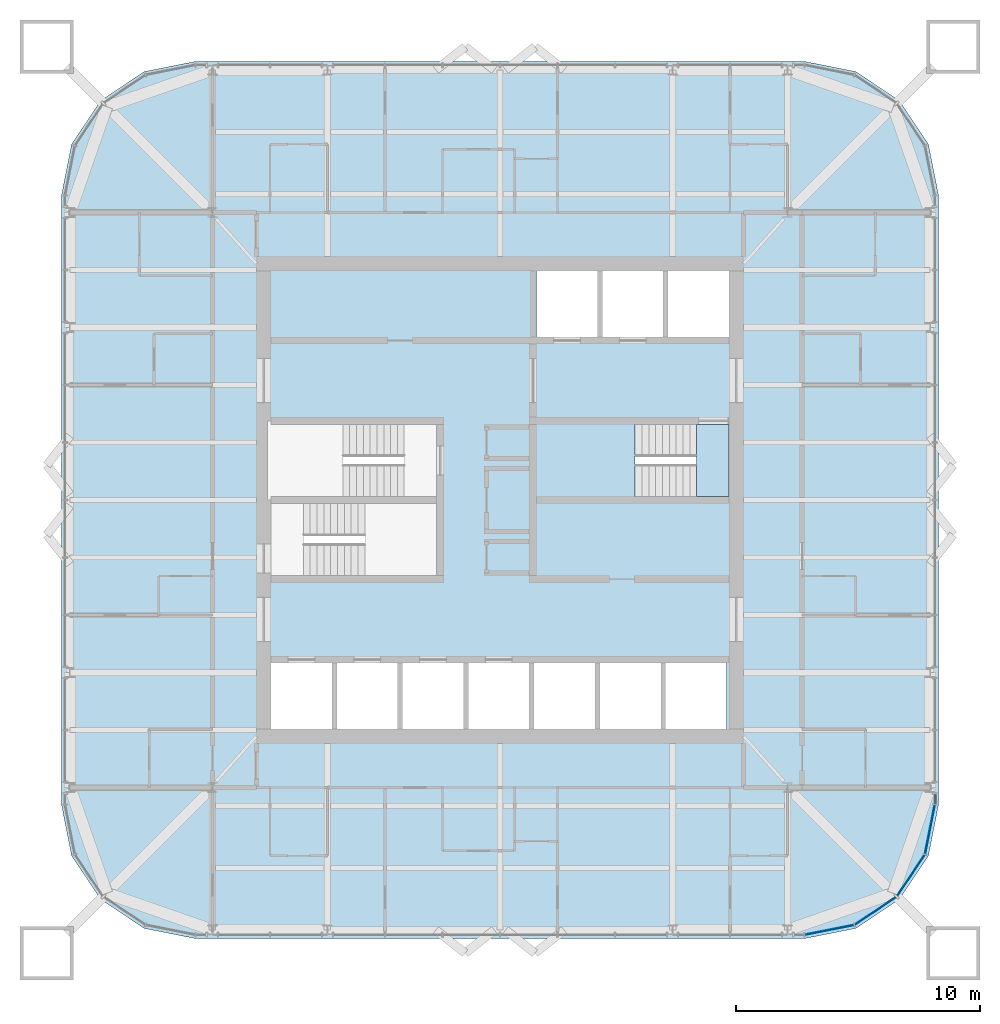
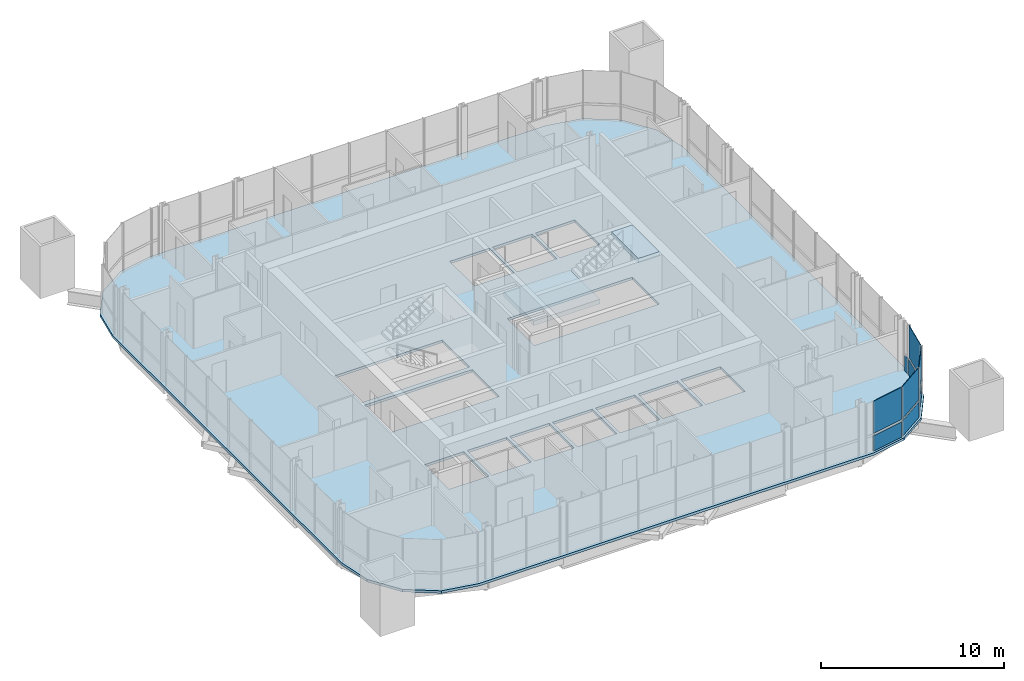
# One storey, part 10 of 17: 9 plates, 3 slabs, 3 elements without a shape of their own.
"""IFC4 building model written with IfcOpenShell, lengths in metres."""

import ifcopenshell
import ifcopenshell.guid

model = None  # the IFC model being written
_history = None  # IfcOwnerHistory: only IFC2X3 demands one
_inside = {}  # id of a spatial element -> (the spatial element, [elements in it])
_under = {}  # id of a project, library or spatial element -> (it, [spatial elements below it])
_declared = {}  # id of a project -> (the project, [libraries it declares])
_typed = {}  # id of a type object -> (the type object, [elements of that type])
_made_of = {}  # id of a material, layer set ... -> (it, [elements and type objects made of it])


def new_model(schema):
    """Start an empty IFC model of exactly this schema.

    Asked for "IFC4X3", IfcOpenShell would pick the latest addendum, in which some entities
    have other attributes; the version numbers below select the first issue.
    IFC2X3 requires an IfcOwnerHistory on every rooted entity: one is made here for all.
    """
    global model, _history
    if schema == "IFC4X3":
        model = ifcopenshell.file(schema_version=(4, 3, 0, 0))
    else:
        model = ifcopenshell.file(schema=schema)
    _inside.clear()
    _under.clear()
    _declared.clear()
    _typed.clear()
    _made_of.clear()
    _history = None
    if model.schema == "IFC2X3":
        org = make("IfcOrganization", Name="unknown")
        user = make(
            "IfcPersonAndOrganization",
            ThePerson=make("IfcPerson", FamilyName="unknown"),
            TheOrganization=org,
        )
        app = make(
            "IfcApplication",
            ApplicationDeveloper=org,
            Version="unknown",
            ApplicationFullName="unknown",
            ApplicationIdentifier="unknown",
        )
        _history = make(
            "IfcOwnerHistory",
            OwningUser=user,
            OwningApplication=app,
            ChangeAction="ADDED",
            CreationDate=0,
        )
    return model


def make(cls, **values):
    """One entity of the class cls with the attributes given. An attribute that is None is left unset."""
    return model.create_entity(
        cls, **{name: value for name, value in values.items() if value is not None}
    )


def rooted(cls, **values):
    """An entity with a GlobalId (a new one), such as an element, a storey or a relation."""
    return make(cls, GlobalId=ifcopenshell.guid.new(), OwnerHistory=_history, **values)


def si_unit(unit_type, name, prefix=None):
    """IfcSIUnit, for example si_unit("LENGTHUNIT", "METRE", prefix="MILLI")."""
    return make("IfcSIUnit", UnitType=unit_type, Prefix=prefix, Name=name)


def assignment(units):
    """IfcUnitAssignment: the units of a project."""
    return None if units is None else make("IfcUnitAssignment", Units=units)


def point(xyz):
    """IfcCartesianPoint."""
    return None if xyz is None else make("IfcCartesianPoint", Coordinates=xyz)


def direction(xyz):
    """IfcDirection."""
    return None if xyz is None else make("IfcDirection", DirectionRatios=xyz)


def frame(location, z_axis=None, x_axis=None):
    """IfcAxis2Placement3D, a coordinate frame: its origin and axes. An axis left out is left unset."""
    return make(
        "IfcAxis2Placement3D",
        Location=point(location),
        Axis=direction(z_axis),
        RefDirection=direction(x_axis),
    )


def frame_2d(location, x_axis=None):
    """IfcAxis2Placement2D, a coordinate frame in the plane: its origin and x axis."""
    return make(
        "IfcAxis2Placement2D", Location=point(location), RefDirection=direction(x_axis)
    )


def origin():
    """The frame at (0, 0, 0) with its axes left unset."""
    return frame((0.0, 0.0, 0.0))


def origin_2d():
    """The frame at (0, 0) in the plane with its x axis left unset."""
    return frame_2d((0.0, 0.0))


def place(relative_to, where):
    """IfcLocalPlacement: puts the frame where relative to a parent placement (None: the world)."""
    return make(
        "IfcLocalPlacement", PlacementRelTo=relative_to, RelativePlacement=where
    )


def context(
    kind, dimensions, precision=None, world=None, true_north=None, identifier=None
):
    """IfcGeometricRepresentationContext, for example the 3D "Model" context."""
    return make(
        "IfcGeometricRepresentationContext",
        ContextIdentifier=identifier,
        ContextType=kind,
        CoordinateSpaceDimension=dimensions,
        Precision=precision,
        WorldCoordinateSystem=world,
        TrueNorth=true_north,
    )


def subcontext(parent, identifier, kind, view, scale=None):
    """IfcGeometricRepresentationSubContext, for example "Body" below "Model"."""
    return make(
        "IfcGeometricRepresentationSubContext",
        ContextIdentifier=identifier,
        ContextType=kind,
        ParentContext=parent,
        TargetScale=scale,
        TargetView=view,
    )


def project(units=None, contexts=None):
    """IfcProject with its units and contexts."""
    return rooted(
        "IfcProject",
        Name="project",
        RepresentationContexts=contexts,
        UnitsInContext=assignment(units),
    )


def spatial(cls, under=None, at=None, **own):
    """A site, building, storey or space (cls), placed at a placement, below another one or the project."""
    s = rooted(cls, ObjectPlacement=at, **own)
    if under is not None:
        _under.setdefault(under.id(), (under, []))[1].append(s)
    return s


def polyline(points):
    """IfcPolyline through the points."""
    return make("IfcPolyline", Points=[point(p) for p in points])


def profile(cls, at=None, kind="AREA", **sizes):
    """A parametric profile (cls). Its sizes go by their IFC names, for example OverallWidth=200.0."""
    return make(cls, ProfileType=kind, Position=at, **sizes)


def rectangle(**sizes):
    """IfcRectangleProfileDef."""
    return profile("IfcRectangleProfileDef", **sizes)


def outline(outer, holes=None, kind="AREA"):
    """IfcArbitraryClosedProfileDef: a profile drawn as a closed curve; with holes, ...WithVoids."""
    if holes is None:
        return make("IfcArbitraryClosedProfileDef", ProfileType=kind, OuterCurve=outer)
    return make(
        "IfcArbitraryProfileDefWithVoids",
        ProfileType=kind,
        OuterCurve=outer,
        InnerCurves=holes,
    )


def extrude(swept, where, along, depth):
    """IfcExtrudedAreaSolid: the profile swept, set in the frame where, extruded along a direction by depth."""
    return make(
        "IfcExtrudedAreaSolid",
        SweptArea=swept,
        Position=where,
        ExtrudedDirection=direction(along),
        Depth=depth,
    )


def shape(context_of_items, identifier, shape_type, items):
    """IfcShapeRepresentation: the items that make up one representation, for example the "Body"."""
    return make(
        "IfcShapeRepresentation",
        ContextOfItems=context_of_items,
        RepresentationIdentifier=identifier,
        RepresentationType=shape_type,
        Items=items,
    )


def material(Name=None, Category=None):
    """IfcMaterial."""
    return make("IfcMaterial", Name=Name, Category=Category)


def layer(
    of_material, thickness, ventilated=None, Name=None, Category=None, Priority=None
):
    """IfcMaterialLayer: one layer of a wall or slab, of a material (None: an air gap)."""
    return make(
        "IfcMaterialLayer",
        Material=of_material,
        LayerThickness=thickness,
        IsVentilated=ventilated,
        Name=Name,
        Category=Category,
        Priority=Priority,
    )


def layer_set(layers, Name=None):
    """IfcMaterialLayerSet."""
    return make("IfcMaterialLayerSet", MaterialLayers=layers, LayerSetName=Name)


def made_of(thing, what):
    """Note that an element or type object is made of a material, layer set ...; save() writes the relation."""
    if what is not None:
        _made_of.setdefault(what.id(), (what, []))[1].append(thing)
    return thing


def type_object(cls, material=None, **own):
    """A type object (cls), such as IfcWallType, which elements share."""
    return made_of(rooted(cls, **own), material)


def element(
    cls,
    number,
    at=None,
    inside=None,
    cuts=None,
    type_object=None,
    material=None,
    context=None,
    identifier="Body",
    shape_type=None,
    held_by="IfcProductDefinitionShape",
    body=None,
    shapes=None,
    **own,
):
    """One element of the class cls, such as IfcWall. Its Tag is "e" and its number.

    at: its placement. inside: the storey or other place that contains it. cuts: it is an
    opening in that element (IfcRelVoidsElement). A single representation is given by context,
    identifier, shape_type and body (its items); several are given by shapes. held_by: the class
    of the entity that holds the representations. save() writes the other relations.
    """
    e = rooted(cls, Tag="e%d" % number, ObjectPlacement=at, **own)
    if body is not None:
        shapes = [shape(context, identifier, shape_type, body)]
    if shapes is not None:
        e.Representation = make(held_by, Representations=shapes)
    if inside is not None:
        _inside.setdefault(inside.id(), (inside, []))[1].append(e)
    if cuts is not None:
        rooted(
            "IfcRelVoidsElement", RelatingBuildingElement=cuts, RelatedOpeningElement=e
        )
    if type_object is not None:
        _typed.setdefault(type_object.id(), (type_object, []))[1].append(e)
    return made_of(e, material)


def aggregate(whole, parts):
    """IfcRelAggregates: a whole, such as a stair, and the parts it consists of."""
    return rooted("IfcRelAggregates", RelatingObject=whole, RelatedObjects=parts)


def save(model, path):
    """Write the relations noted so far, then the file.

    IfcRelAggregates (storeys below a building ...), IfcRelContainedInSpatialStructure (elements
    in a storey), IfcRelDefinesByType, IfcRelAssociatesMaterial and IfcRelDeclares: one each for
    every whole, place, type object, material and project.
    """
    for whole, parts in _under.values():
        aggregate(whole, parts)
    for where, things in _inside.values():
        rooted(
            "IfcRelContainedInSpatialStructure",
            RelatedElements=things,
            RelatingStructure=where,
        )
    for kind, things in _typed.values():
        rooted("IfcRelDefinesByType", RelatedObjects=things, RelatingType=kind)
    for what, things in _made_of.values():
        rooted("IfcRelAssociatesMaterial", RelatedObjects=things, RelatingMaterial=what)
    for by, libraries in _declared.values():
        rooted("IfcRelDeclares", RelatingContext=by, RelatedDefinitions=libraries)
    model.write(path)


model = new_model("IFC4")

# Units and contexts
model_context = context("Model", 3, precision=1e-05, world=origin(), true_north=direction((0.0, 1.0)))
body_context = subcontext(model_context, "Body", "Model", "MODEL_VIEW")
ifc_project = project(units=[si_unit("LENGTHUNIT", "METRE"), si_unit("AREAUNIT", "SQUARE_METRE"), si_unit("VOLUMEUNIT", "CUBIC_METRE"), si_unit("PLANEANGLEUNIT", "RADIAN"), si_unit("MASSUNIT", "GRAM", prefix="KILO")], contexts=[model_context])

# Site, building, storey
site_placement = place(None, origin())
site = spatial("IfcSite", under=ifc_project, at=site_placement, CompositionType="ELEMENT")
building_placement = place(site_placement, origin())
building = spatial("IfcBuilding", under=site, at=building_placement, Name="Turquesa Mirador Hotel Tower", CompositionType="ELEMENT")
storey_placement = place(building_placement, frame((0.0, 0.0, 247.699951171875)))
storey = spatial("IfcBuildingStorey", under=building, at=storey_placement, Name="L67", CompositionType="ELEMENT", Elevation=247.699951171875)

# Slab
ifc_material_1 = material(Name="Concrete C28/35", Category="concrete")
ifc_layer_1 = layer(ifc_material_1, 0.169921875)
ifc_layer_set_1 = layer_set([ifc_layer_1], Name="COMPOSITE FLOOR SLAB 170")
slab_type_1 = type_object("IfcSlabType", Name="COMPOSITE FLOOR SLAB 170", PredefinedType="FLOOR", material=ifc_layer_set_1)
slab_1_placement = place(storey_placement, frame((0.0, 0.0, -0.169921875)))
element("IfcSlab", 1, at=slab_1_placement, inside=storey, type_object=slab_type_1, Name="Floor slab L67", PredefinedType="FLOOR", context=body_context, shape_type="SweptSolid", body=[
    extrude(outline(polyline([(67.5, 27.0), (69.604736328125, 27.418701171875), (71.38916015625, 28.61083984375), (72.581298828125, 30.395263671875), (73.0, 32.5), (73.0, 57.5), (72.581298828125, 59.604736328125), (71.38916015625, 61.38916015625), (69.604736328125, 62.581298828125), (67.5, 63.0), (42.5, 63.0), (40.395263671875, 62.581298828125), (38.61083984375, 61.38916015625), (37.418701171875, 59.604736328125), (37.0, 57.5), (37.0, 32.5), (37.418701171875, 30.395263671875), (38.61083984375, 28.61083984375), (40.395263671875, 27.418701171875), (42.5, 27.0), (67.5, 27.0)]), holes=[polyline([(56.5, 51.699951171875), (59.0, 51.699951171875), (59.0, 54.39990234375), (56.5, 54.39990234375), (56.5, 51.699951171875)]), polyline([(59.199951171875, 51.699951171875), (61.699951171875, 51.699951171875), (61.699951171875, 54.39990234375), (59.199951171875, 54.39990234375), (59.199951171875, 51.699951171875)]), polyline([(45.60009765625, 35.60009765625), (48.10009765625, 35.60009765625), (48.10009765625, 38.300048828125), (45.60009765625, 38.300048828125), (45.60009765625, 35.60009765625)]), polyline([(48.300048828125, 35.60009765625), (50.800048828125, 35.60009765625), (50.800048828125, 38.300048828125), (48.300048828125, 38.300048828125), (48.300048828125, 35.60009765625)]), polyline([(51.0, 35.60009765625), (53.5, 35.60009765625), (53.5, 38.300048828125), (51.0, 38.300048828125), (51.0, 35.60009765625)]), polyline([(53.699951171875, 35.60009765625), (56.199951171875, 35.60009765625), (56.199951171875, 38.300048828125), (53.699951171875, 38.300048828125), (53.699951171875, 35.60009765625)]), polyline([(56.39990234375, 35.60009765625), (58.89990234375, 35.60009765625), (58.89990234375, 38.300048828125), (56.39990234375, 38.300048828125), (56.39990234375, 35.60009765625)]), polyline([(59.10009765625, 35.60009765625), (61.60009765625, 35.60009765625), (61.60009765625, 38.300048828125), (59.10009765625, 38.300048828125), (59.10009765625, 35.60009765625)]), polyline([(61.800048828125, 35.60009765625), (64.300048828125, 35.60009765625), (64.300048828125, 38.300048828125), (61.800048828125, 38.300048828125), (61.800048828125, 35.60009765625)]), polyline([(45.60009765625, 45.14990234375), (52.39990234375, 45.14990234375), (52.39990234375, 48.10009765625), (45.60009765625, 48.10009765625), (45.60009765625, 45.14990234375)]), polyline([(45.60009765625, 41.89990234375), (52.39990234375, 41.89990234375), (52.39990234375, 44.85009765625), (45.60009765625, 44.85009765625), (45.60009765625, 41.89990234375)]), polyline([(56.5, 45.14990234375), (64.39990234375, 45.14990234375), (64.39990234375, 48.10009765625), (56.5, 48.10009765625), (56.5, 45.14990234375)]), polyline([(61.89990234375, 51.699951171875), (64.39990234375, 51.699951171875), (64.39990234375, 54.39990234375), (61.89990234375, 54.39990234375), (61.89990234375, 51.699951171875)])]), origin(), (0.0, 0.0, 1.0), 0.169921875),
])

# Curtain wall, plates
ifc_material_2 = material(Name="Aluminium extrusion", Category="aluminium")
curtain_wall_type = type_object("IfcCurtainWallType", Name="CW-4 SUITE FRITTED CURTAIN WALL", PredefinedType="USERDEFINED", material=ifc_material_2)
curtain_wall_1_placement = place(storey_placement, origin())
curtain_wall_1 = element("IfcCurtainWall", 2, at=curtain_wall_1_placement, inside=storey, type_object=curtain_wall_type, Name="CW-4 SUITE FRITTED CURTAIN WALL L67", ObjectType="CURTAIN WALL", PredefinedType="USERDEFINED")
ifc_material_3 = material(Name="Ceramic-printed spandrel glass on an insulated back pan", Category="glass")
ifc_layer_2 = layer(ifc_material_3, 0.050048828125)
ifc_layer_set_2 = layer_set([ifc_layer_2], Name="CW PANEL SPANDREL CERAMIC")
plate_type_1 = type_object("IfcPlateType", Name="CW PANEL SPANDREL CERAMIC", PredefinedType="CURTAIN_PANEL", material=ifc_layer_set_2)
plate_1_placement = place(storey_placement, frame((68.523681640625, 27.353515625, 0.0), z_axis=(0.0, 0.0, 1.0), x_axis=(0.980785228048, 0.195090585221, 0.0)))
plate_1 = element("IfcPlate", 3, at=plate_1_placement, type_object=plate_type_1, Name="Panel", PredefinedType="CURTAIN_PANEL", context=body_context, shape_type="SweptSolid", body=[
    extrude(rectangle(XDim=2.0224609375, YDim=0.050048828125, at=origin_2d()), origin(), (0.0, 0.0, 1.0), 1.02490234375),
])
plate_2_placement = place(storey_placement, frame((70.415283203125, 28.13720703125, 0.0), z_axis=(0.0, 0.0, 1.0), x_axis=(0.831469673284, 0.555570141754, 0.0)))
plate_2 = element("IfcPlate", 4, at=plate_2_placement, type_object=plate_type_1, Name="Panel", PredefinedType="CURTAIN_PANEL", context=body_context, shape_type="SweptSolid", body=[
    extrude(rectangle(XDim=2.0224609375, YDim=0.050048828125, at=origin_2d()), origin(), (0.0, 0.0, 1.0), 1.02490234375),
])
plate_3_placement = place(storey_placement, frame((71.86279296875, 29.584716796875, 0.0), z_axis=(0.0, 0.0, 1.0), x_axis=(0.555570141754, 0.831469673284, 0.0)))
plate_3 = element("IfcPlate", 5, at=plate_3_placement, type_object=plate_type_1, Name="Panel", PredefinedType="CURTAIN_PANEL", context=body_context, shape_type="SweptSolid", body=[
    extrude(rectangle(XDim=2.0224609375, YDim=0.050048828125, at=origin_2d()), origin(), (0.0, 0.0, 1.0), 1.02490234375),
])
plate_4_placement = place(storey_placement, frame((72.646484375, 31.476318359375, 0.0), z_axis=(0.0, 0.0, 1.0), x_axis=(0.195090585221, 0.980785228048, 0.0)))
plate_4 = element("IfcPlate", 6, at=plate_4_placement, type_object=plate_type_1, Name="Panel", PredefinedType="CURTAIN_PANEL", context=body_context, shape_type="SweptSolid", body=[
    extrude(rectangle(XDim=2.0224609375, YDim=0.050048828125, at=origin_2d()), origin(), (0.0, 0.0, 1.0), 1.02490234375),
])

# Curtain wall, plate
curtain_wall_2_placement = place(storey_placement, origin())
curtain_wall_2 = element("IfcCurtainWall", 7, at=curtain_wall_2_placement, inside=storey, type_object=curtain_wall_type, Name="CW-4 SUITE FRITTED CURTAIN WALL L67", ObjectType="CURTAIN WALL", PredefinedType="USERDEFINED")
plate_5_placement = place(storey_placement, frame((72.85009765625, 32.733154296875, 0.0), z_axis=(0.0, 0.0, 1.0), x_axis=(0.0, 1.0, 0.0)))
plate_5 = element("IfcPlate", 8, at=plate_5_placement, type_object=plate_type_1, Name="Panel", PredefinedType="CURTAIN_PANEL", context=body_context, shape_type="SweptSolid", body=[
    extrude(rectangle(XDim=0.401123046875, YDim=0.050048828125, at=origin_2d()), origin(), (0.0, 0.0, 1.0), 1.02490234375),
])
aggregate(curtain_wall_2, [plate_5])

# Plate
ifc_material_4 = material(Name="Ceramic-fritted laminated glass", Category="glass")
ifc_layer_3 = layer(ifc_material_4, 0.031982421875)
ifc_layer_set_3 = layer_set([ifc_layer_3], Name="CW PANEL VISION FRITTED")
plate_type_2 = type_object("IfcPlateType", Name="CW PANEL VISION FRITTED", PredefinedType="CURTAIN_PANEL", material=ifc_layer_set_3)
plate_6_placement = place(storey_placement, frame((68.523681640625, 27.353515625, 1.1748046875), z_axis=(0.0, 0.0, 1.0), x_axis=(0.980785228048, 0.195090585221, 0.0)))
plate_6 = element("IfcPlate", 9, at=plate_6_placement, type_object=plate_type_2, Name="Panel", PredefinedType="CURTAIN_PANEL", context=body_context, shape_type="SweptSolid", body=[
    extrude(rectangle(XDim=2.0224609375, YDim=0.031982421875, at=origin_2d()), origin(), (0.0, 0.0, 1.0), 2.155029296875),
])

plate_7_placement = place(storey_placement, frame((70.415283203125, 28.13720703125, 1.1748046875), z_axis=(0.0, 0.0, 1.0), x_axis=(0.831469673284, 0.555570141754, 0.0)))
plate_7 = element("IfcPlate", 10, at=plate_7_placement, type_object=plate_type_2, Name="Panel", PredefinedType="CURTAIN_PANEL", context=body_context, shape_type="SweptSolid", body=[
    extrude(rectangle(XDim=2.0224609375, YDim=0.031982421875, at=origin_2d()), origin(), (0.0, 0.0, 1.0), 2.155029296875),
])

plate_8_placement = place(storey_placement, frame((71.86279296875, 29.584716796875, 1.1748046875), z_axis=(0.0, 0.0, 1.0), x_axis=(0.555570141754, 0.831469673284, 0.0)))
plate_8 = element("IfcPlate", 11, at=plate_8_placement, type_object=plate_type_2, Name="Panel", PredefinedType="CURTAIN_PANEL", context=body_context, shape_type="SweptSolid", body=[
    extrude(rectangle(XDim=2.0224609375, YDim=0.031982421875, at=origin_2d()), origin(), (0.0, 0.0, 1.0), 2.155029296875),
])

plate_9_placement = place(storey_placement, frame((72.646484375, 31.476318359375, 1.1748046875), z_axis=(0.0, 0.0, 1.0), x_axis=(0.195090585221, 0.980785228048, 0.0)))
plate_9 = element("IfcPlate", 12, at=plate_9_placement, type_object=plate_type_2, Name="Panel", PredefinedType="CURTAIN_PANEL", context=body_context, shape_type="SweptSolid", body=[
    extrude(rectangle(XDim=2.0224609375, YDim=0.031982421875, at=origin_2d()), origin(), (0.0, 0.0, 1.0), 2.155029296875),
])

aggregate(curtain_wall_1, [plate_1, plate_6, plate_2, plate_7, plate_3, plate_8, plate_4, plate_9])

# Stair, slabs
ifc_material_5 = material(Name="Concrete C35/45", Category="concrete")
stair_type = type_object("IfcStairType", Name="ESCAPE STAIR CORE", PredefinedType="HALF_TURN_STAIR", material=ifc_material_5)
stair_placement = place(storey_placement, origin())
stair = element("IfcStair", 13, at=stair_placement, inside=storey, type_object=stair_type, Name="Stair ST3 L67 to L68", PredefinedType="HALF_TURN_STAIR")
ifc_material_6 = material(Name="Concrete C35/45", Category="concrete")
ifc_layer_4 = layer(ifc_material_6, 0.300048828125)
ifc_layer_set_4 = layer_set([ifc_layer_4], Name="STAIR LANDING 300")
slab_type_2 = type_object("IfcSlabType", Name="STAIR LANDING 300", PredefinedType="LANDING", material=ifc_layer_set_4)
slab_2_placement = place(storey_placement, frame((0.0, 0.0, 1.449951171875)))
slab_2 = element("IfcSlab", 14, at=slab_2_placement, type_object=slab_type_2, Name="ST3 landing 1", PredefinedType="LANDING", context=body_context, shape_type="SweptSolid", body=[
    extrude(outline(polyline([(56.35009765625, 45.0), (60.550048828125, 45.0), (60.550048828125, 48.25), (56.35009765625, 48.25), (56.35009765625, 45.0)])), origin(), (0.0, 0.0, 1.0), 0.300048828125),
])
slab_3_placement = place(storey_placement, frame((0.0, 0.0, 3.199951171875)))
slab_3 = element("IfcSlab", 15, at=slab_3_placement, type_object=slab_type_2, Name="ST3 landing 2", PredefinedType="LANDING", context=body_context, shape_type="SweptSolid", body=[
    extrude(outline(polyline([(63.070068359375, 45.14990234375), (64.39990234375, 45.14990234375), (64.39990234375, 48.10009765625), (63.070068359375, 48.10009765625), (63.070068359375, 45.14990234375)])), origin(), (0.0, 0.0, 1.0), 0.300048828125),
])
aggregate(stair, [slab_2, slab_3])

save(model, "model.ifc")
